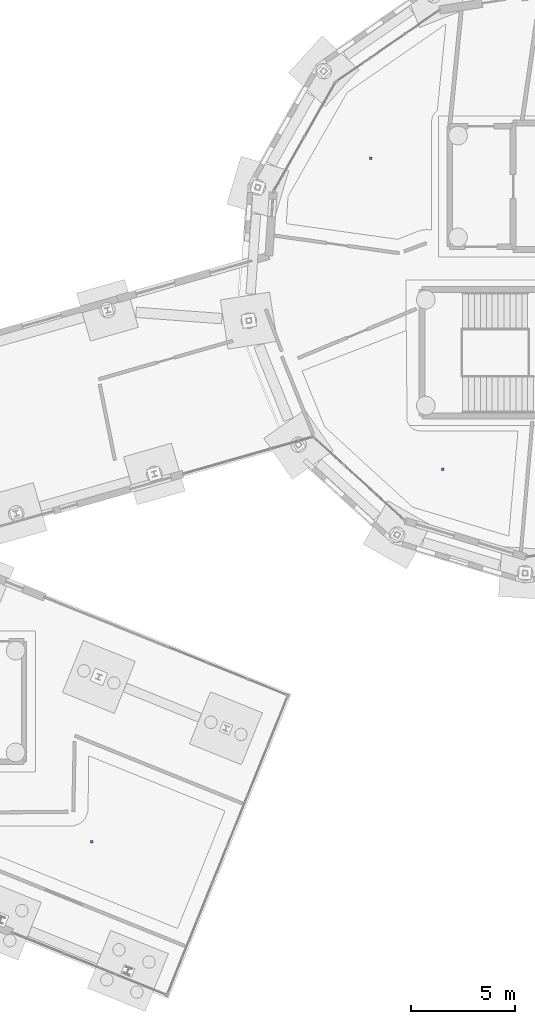
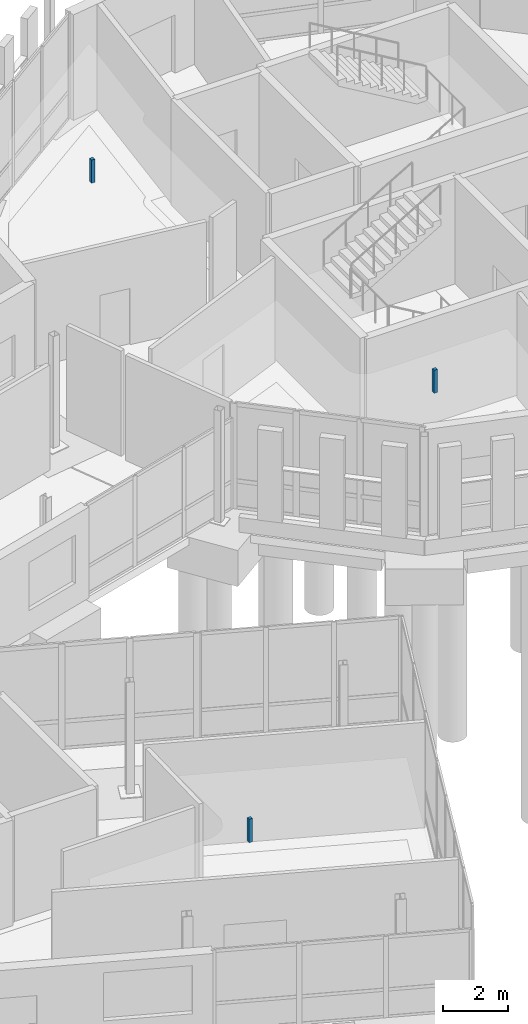
# One storey, part 102 of 113: 3 discrete accessories.
"""IFC4 building model written with IfcOpenShell, lengths in metres."""

from ifc_helpers import new_model, si_unit, direction, frame, origin, origin_2d, place, context, subcontext, project, spatial, rectangle, extrude, material, type_object, element, save


model = new_model("IFC4")

# Units and contexts
model_context = context("Model", 3, precision=1e-05, world=origin(), true_north=direction((0.0, 1.0)))
body_context = subcontext(model_context, "Body", "Model", "MODEL_VIEW")
ifc_project = project(units=[si_unit("LENGTHUNIT", "METRE"), si_unit("AREAUNIT", "SQUARE_METRE"), si_unit("VOLUMEUNIT", "CUBIC_METRE"), si_unit("PLANEANGLEUNIT", "RADIAN"), si_unit("MASSUNIT", "GRAM", prefix="KILO")], contexts=[model_context])

# Site, building, storey
site_placement = place(None, origin())
site = spatial("IfcSite", under=ifc_project, at=site_placement, CompositionType="ELEMENT")
building_placement = place(site_placement, origin())
building = spatial("IfcBuilding", under=site, at=building_placement, Name="Wrenclough Park School", CompositionType="ELEMENT")
storey_placement = place(building_placement, origin())
storey = spatial("IfcBuildingStorey", under=building, at=storey_placement, Name="L00", CompositionType="ELEMENT", Elevation=0.0)

# Discrete accessories
ifc_material = material(Name="Galvanised steel acoustic ceiling suspension hanger", Category="steel")
discrete_accessory_type = type_object("IfcDiscreteAccessoryType", Name="INT-BRK-HGR", PredefinedType="BRACKET", material=ifc_material)
for number, where, z_axis, x_axis, name in (
    (1, (74.594970703125, 114.051025390625, 3.08984375), (0.0, 0.0, 1.0), (1.0, 0.0, 0.0), "Acoustic ceiling hanger bracket 0009"),
    (2, (78.0673828125, 99.093017578125, 3.08984375), (0.0, 0.0, 1.0), (1.0, 0.0, 0.0), "Acoustic ceiling hanger bracket 0010"),
):
    element("IfcDiscreteAccessory", number, at=place(storey_placement, frame(where, z_axis=z_axis, x_axis=x_axis)), inside=storey, type_object=discrete_accessory_type, Name=name, PredefinedType="BRACKET", context=body_context, shape_type="SweptSolid", body=[
        extrude(rectangle(XDim=0.1201171875, YDim=0.1201171875, at=origin_2d()), origin(), (0.0, 0.0, 1.0), 0.864990234375),
    ])
discrete_accessory_placement = place(storey_placement, frame((61.174072265625, 81.156494140625, 3.090087890625), z_axis=(0.0, 0.0, 1.0), x_axis=(1.0, 0.0, 0.0)))
element("IfcDiscreteAccessory", 3, at=discrete_accessory_placement, inside=storey, type_object=discrete_accessory_type, Name="Acoustic ceiling hanger bracket 0016", PredefinedType="BRACKET", context=body_context, shape_type="SweptSolid", body=[
    extrude(rectangle(XDim=0.1201171875, YDim=0.1201171875, at=origin_2d()), origin(), (0.0, 0.0, 1.0), 0.875),
])

save(model, "model.ifc")
